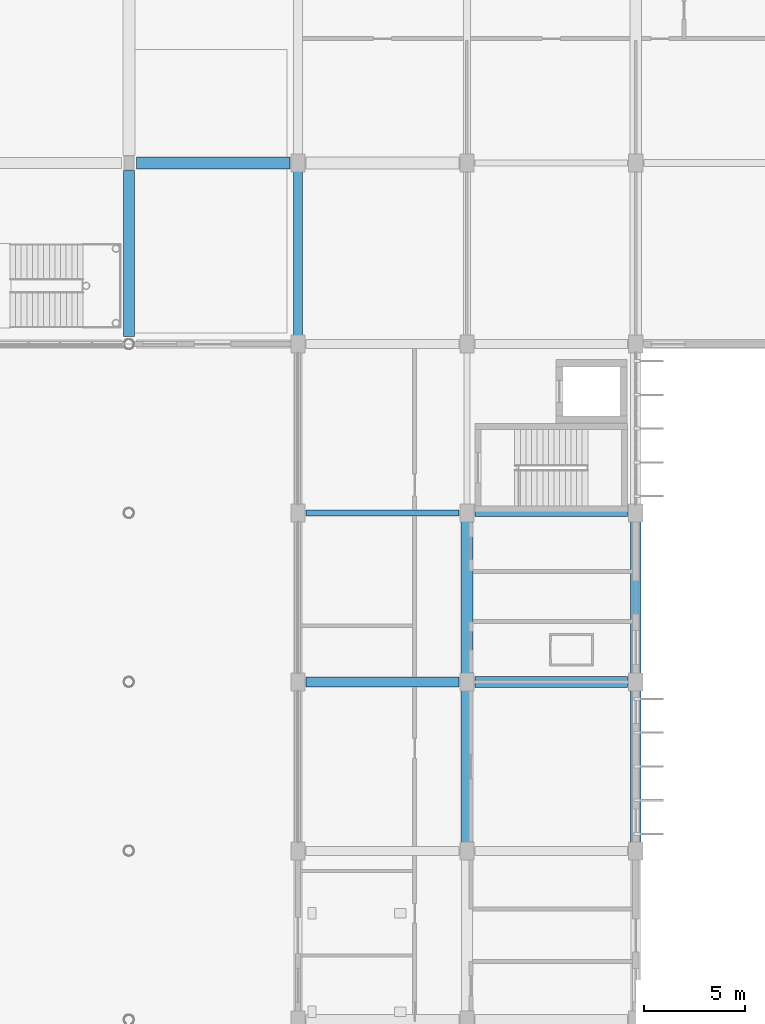
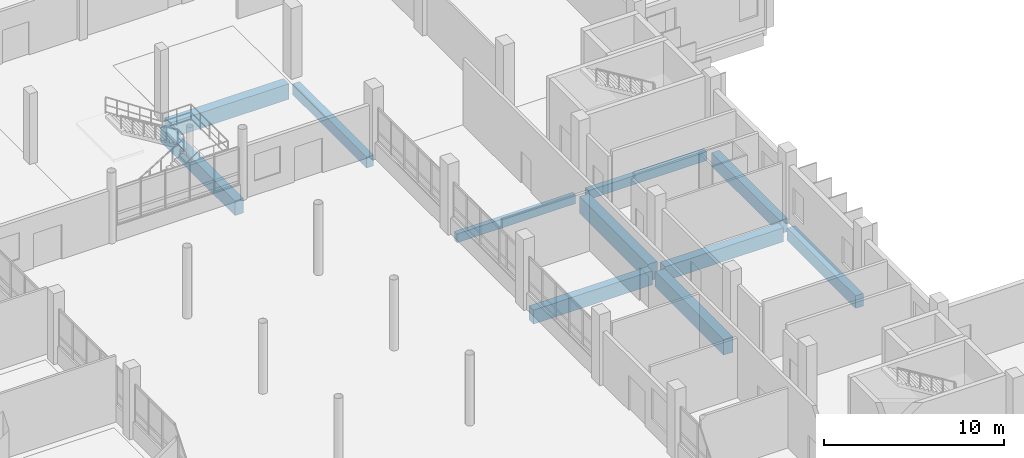
# One storey, part 51 of 95: 11 beams.
"""IFC4 building model written with IfcOpenShell, lengths in metres."""

from ifc_helpers import new_model, si_unit, direction, frame, origin, origin_2d, place, context, subcontext, project, spatial, rectangle, extrude, material, material_profile, profile_set, type_object, element, save


model = new_model("IFC4")

# Units and contexts
model_context = context("Model", 3, precision=1e-05, world=origin(), true_north=direction((0.0, 1.0)))
body_context = subcontext(model_context, "Body", "Model", "MODEL_VIEW")
ifc_project = project(units=[si_unit("LENGTHUNIT", "METRE"), si_unit("AREAUNIT", "SQUARE_METRE"), si_unit("VOLUMEUNIT", "CUBIC_METRE"), si_unit("PLANEANGLEUNIT", "RADIAN"), si_unit("MASSUNIT", "GRAM", prefix="KILO")], contexts=[model_context])

# Site, building, storey
site_placement = place(None, origin())
site = spatial("IfcSite", under=ifc_project, at=site_placement, CompositionType="ELEMENT")
building_placement = place(site_placement, origin())
building = spatial("IfcBuilding", under=site, at=building_placement, Name="Vireocrest Preparatory School", CompositionType="ELEMENT")
storey_placement = place(building_placement, origin())
storey = spatial("IfcBuildingStorey", under=building, at=storey_placement, Name="L00", CompositionType="ELEMENT", Elevation=0.0)

# Beams
ifc_material = material(Name="Concrete 40 MPa", Category="concrete")
ifc_material_profile_1 = material_profile(ifc_material, rectangle(XDim=0.5, YDim=0.949951171875, at=origin_2d()), Name="RC 500x950")
ifc_profile_set_1 = profile_set([ifc_material_profile_1], Name="Concrete 40 MPa")
beam_type_1 = type_object("IfcBeamType", Name="RC Basement Ceiling Girder 500x950", PredefinedType="BEAM", material=ifc_profile_set_1)
beam_1_placement = place(storey_placement, frame((92.800048828125, 69.0, -0.824951171875), z_axis=(1.0, 0.0, 0.0), x_axis=(0.0, 1.0, 0.0)))
element("IfcBeam", 1, at=beam_1_placement, inside=storey, type_object=beam_type_1, Name="Primary Girder B16 L00-0086", PredefinedType="BEAM", context=body_context, shape_type="SweptSolid", body=[
    extrude(rectangle(XDim=0.5, YDim=0.949951171875, at=origin_2d()), origin(), (0.0, 0.0, 1.0), 7.599853515625),
])
ifc_material_profile_2 = material_profile(ifc_material, rectangle(XDim=0.300048828125, YDim=0.60009765625, at=origin_2d()), Name="RC 300x600")
ifc_profile_set_2 = profile_set([ifc_material_profile_2], Name="Concrete 40 MPa")
beam_type_2 = type_object("IfcBeamType", Name="RC Classroom Beam 300x600", PredefinedType="BEAM", material=ifc_profile_set_2)
beam_2_placement = place(storey_placement, frame((92.800048828125, 77.39990234375, -0.64990234375), z_axis=(1.0, 0.0, 0.0), x_axis=(0.0, 1.0, 0.0)))
element("IfcBeam", 2, at=beam_2_placement, inside=storey, type_object=beam_type_2, Name="Primary Girder B03 L00-0091", PredefinedType="BEAM", context=body_context, shape_type="SweptSolid", body=[
    extrude(rectangle(XDim=0.300048828125, YDim=0.60009765625, at=origin_2d()), origin(), (0.0, 0.0, 1.0), 7.599853515625),
])
ifc_material_profile_3 = material_profile(ifc_material, rectangle(XDim=0.35009765625, YDim=0.60009765625, at=origin_2d()), Name="RC 350x600")
ifc_profile_set_3 = profile_set([ifc_material_profile_3], Name="Concrete 40 MPa")
beam_type_3 = type_object("IfcBeamType", Name="RC Classroom Girder 350x600", PredefinedType="BEAM", material=ifc_profile_set_3)
beam_3_placement = place(storey_placement, frame((101.199951171875, 77.39990234375, -0.64990234375), z_axis=(1.0, 0.0, 0.0), x_axis=(0.0, 1.0, 0.0)))
element("IfcBeam", 3, at=beam_3_placement, inside=storey, type_object=beam_type_3, Name="Primary Girder B04 L00-0092", PredefinedType="BEAM", context=body_context, shape_type="SweptSolid", body=[
    extrude(rectangle(XDim=0.35009765625, YDim=0.60009765625, at=origin_2d()), origin(), (0.0, 0.0, 1.0), 7.60009765625),
])
ifc_material_profile_4 = material_profile(ifc_material, rectangle(XDim=0.550048828125, YDim=1.0, at=origin_2d()), Name="RC 550x1000")
ifc_profile_set_4 = profile_set([ifc_material_profile_4], Name="Concrete 40 MPa")
beam_type_4 = type_object("IfcBeamType", Name="RC Core Coupling Beam 550x1000", PredefinedType="BEAM", material=ifc_profile_set_4)
beam_4_placement = place(storey_placement, frame((84.0, 86.175048828125, -0.85009765625), z_axis=(0.0, 1.0, 0.0), x_axis=(-1.0, 0.0, 0.0)))
element("IfcBeam", 4, at=beam_4_placement, inside=storey, type_object=beam_type_4, Name="Primary Girder B18 L00-0191", PredefinedType="BEAM", context=body_context, shape_type="SweptSolid", body=[
    extrude(rectangle(XDim=0.550048828125, YDim=1.0, at=origin_2d()), origin(), (0.0, 0.0, 1.0), 8.25),
])
ifc_material_profile_5 = material_profile(ifc_material, rectangle(XDim=0.60009765625, YDim=1.14990234375, at=origin_2d()), Name="RC 600x1150")
ifc_profile_set_5 = profile_set([ifc_material_profile_5], Name="Concrete 40 MPa")
beam_type_5 = type_object("IfcBeamType", Name="RC Heavy Transfer Girder 600x1150", PredefinedType="BEAM", material=ifc_profile_set_5)
beam_5_placement = place(storey_placement, frame((100.800048828125, 69.39990234375, -0.925048828125), z_axis=(0.0, 1.0, 0.0), x_axis=(-1.0, 0.0, 0.0)))
element("IfcBeam", 5, at=beam_5_placement, inside=storey, type_object=beam_type_5, Name="Primary Girder B20 L00-0211", PredefinedType="BEAM", context=body_context, shape_type="SweptSolid", body=[
    extrude(rectangle(XDim=0.60009765625, YDim=1.14990234375, at=origin_2d()), origin(), (0.0, 0.0, 1.0), 7.60009765625),
])
ifc_material_profile_6 = material_profile(ifc_material, rectangle(XDim=0.449951171875, YDim=0.75, at=origin_2d()), Name="RC 450x750")
ifc_profile_set_6 = profile_set([ifc_material_profile_6], Name="Concrete 40 MPa")
beam_type_6 = type_object("IfcBeamType", Name="RC Library Stack Girder 450x750", PredefinedType="BEAM", material=ifc_profile_set_6)
beam_6_placement = place(storey_placement, frame((92.39990234375, 86.199951171875, -0.72509765625), z_axis=(0.0, 1.0, 0.0), x_axis=(-1.0, 0.0, 0.0)))
element("IfcBeam", 6, at=beam_6_placement, inside=storey, type_object=beam_type_6, Name="Primary Girder B11 L00-0202", PredefinedType="BEAM", context=body_context, shape_type="SweptSolid", body=[
    extrude(rectangle(XDim=0.449951171875, YDim=0.75, at=origin_2d()), origin(), (0.0, 0.0, 1.0), 8.199951171875),
])
ifc_material_profile_7 = material_profile(ifc_material, rectangle(XDim=0.5, YDim=0.85009765625, at=origin_2d()), Name="RC 500x850")
ifc_profile_set_7 = profile_set([ifc_material_profile_7], Name="Concrete 40 MPa")
beam_type_7 = type_object("IfcBeamType", Name="RC Podium Girder 500x850", PredefinedType="BEAM", material=ifc_profile_set_7)
beam_7_placement = place(storey_placement, frame((109.199951171875, 61.0, -0.77490234375), z_axis=(0.0, 1.0, 0.0), x_axis=(-1.0, 0.0, 0.0)))
element("IfcBeam", 7, at=beam_7_placement, inside=storey, type_object=beam_type_7, Name="Primary Girder B14 L00-0223", PredefinedType="BEAM", context=body_context, shape_type="SweptSolid", body=[
    extrude(rectangle(XDim=0.5, YDim=0.85009765625, at=origin_2d()), origin(), (0.0, 0.0, 1.0), 7.60009765625),
])
ifc_material_profile_8 = material_profile(ifc_material, rectangle(XDim=0.5, YDim=0.89990234375, at=origin_2d()), Name="RC 500x900")
ifc_profile_set_8 = profile_set([ifc_material_profile_8], Name="Concrete 40 MPa")
beam_type_8 = type_object("IfcBeamType", Name="RC Podium Girder 500x900", PredefinedType="BEAM", material=ifc_profile_set_8)
beam_8_placement = place(storey_placement, frame((109.199951171875, 69.39990234375, -0.800048828125), z_axis=(0.0, 1.0, 0.0), x_axis=(-1.0, 0.0, 0.0)))
element("IfcBeam", 8, at=beam_8_placement, inside=storey, type_object=beam_type_8, Name="Primary Girder B15 L00-0224", PredefinedType="BEAM", context=body_context, shape_type="SweptSolid", body=[
    extrude(rectangle(XDim=0.5, YDim=0.89990234375, at=origin_2d()), origin(), (0.0, 0.0, 1.0), 7.60009765625),
])
ifc_material_profile_9 = material_profile(ifc_material, rectangle(XDim=0.550048828125, YDim=0.949951171875, at=origin_2d()), Name="RC 550x950")
ifc_profile_set_9 = profile_set([ifc_material_profile_9], Name="Concrete 40 MPa")
beam_type_9 = type_object("IfcBeamType", Name="RC Setback Edge Girder 550x950", PredefinedType="BEAM", material=ifc_profile_set_9)
beam_9_placement = place(storey_placement, frame((101.199951171875, 69.0, -0.824951171875), z_axis=(1.0, 0.0, 0.0), x_axis=(0.0, 1.0, 0.0)))
element("IfcBeam", 9, at=beam_9_placement, inside=storey, type_object=beam_type_9, Name="Primary Girder B17 L00-0087", PredefinedType="BEAM", context=body_context, shape_type="SweptSolid", body=[
    extrude(rectangle(XDim=0.550048828125, YDim=0.949951171875, at=origin_2d()), origin(), (0.0, 0.0, 1.0), 7.60009765625),
])
ifc_material_profile_10 = material_profile(ifc_material, rectangle(XDim=0.60009765625, YDim=1.050048828125, at=origin_2d()), Name="RC 600x1050")
ifc_profile_set_10 = profile_set([ifc_material_profile_10], Name="Concrete 40 MPa")
beam_type_10 = type_object("IfcBeamType", Name="RC Transfer Girder 600x1050", PredefinedType="BEAM", material=ifc_profile_set_10)
beam_10_placement = place(storey_placement, frame((84.375, 94.800048828125, -0.875), z_axis=(1.0, 0.0, 0.0), x_axis=(0.0, 1.0, 0.0)))
element("IfcBeam", 10, at=beam_10_placement, inside=storey, type_object=beam_type_10, Name="Primary Girder B19 L00-0107", PredefinedType="BEAM", context=body_context, shape_type="SweptSolid", body=[
    extrude(rectangle(XDim=0.60009765625, YDim=1.050048828125, at=origin_2d()), origin(), (0.0, 0.0, 1.0), 7.625),
])
beam_11_placement = place(storey_placement, frame((100.800048828125, 61.0, -0.875), z_axis=(0.0, 1.0, 0.0), x_axis=(-1.0, 0.0, 0.0)))
element("IfcBeam", 11, at=beam_11_placement, inside=storey, type_object=beam_type_10, Name="Primary Girder B19 L00-0210", PredefinedType="BEAM", context=body_context, shape_type="SweptSolid", body=[
    extrude(rectangle(XDim=0.60009765625, YDim=1.050048828125, at=origin_2d()), origin(), (0.0, 0.0, 1.0), 7.60009765625),
])

save(model, "model.ifc")
